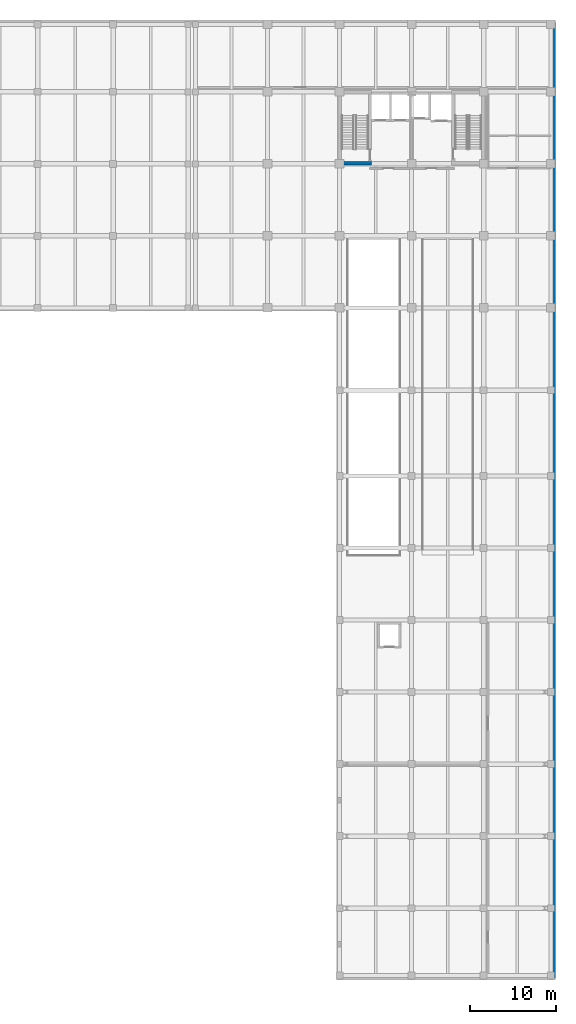
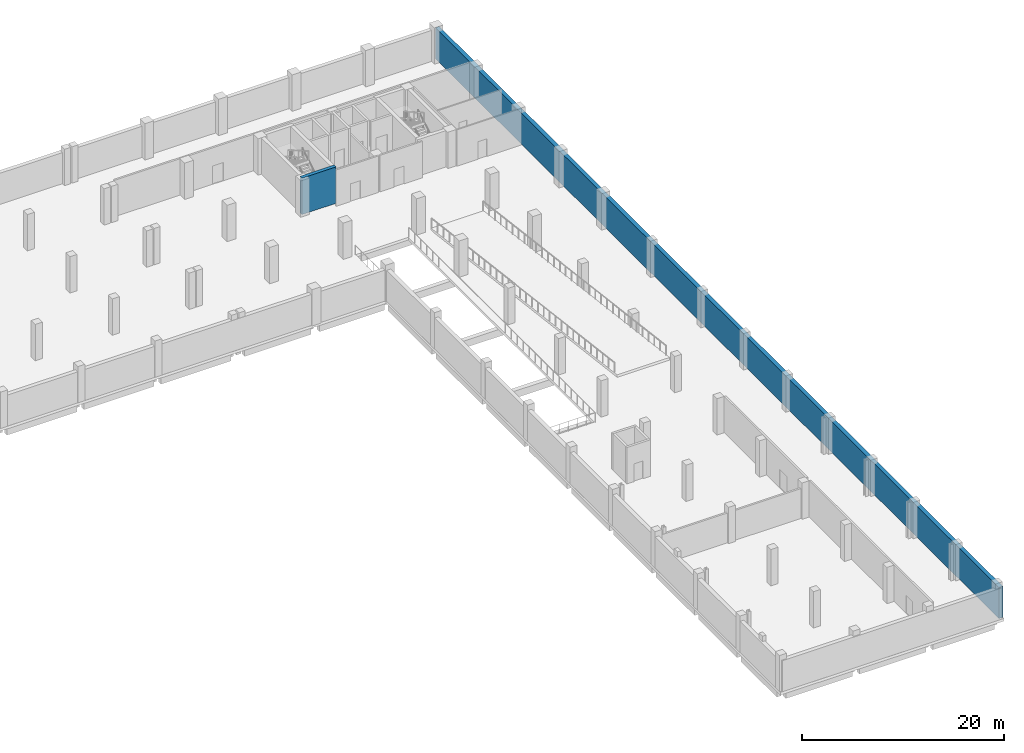
# One storey, part 12 of 17: 2 walls.
"""IFC4 building model written with IfcOpenShell, lengths in metres."""

from ifc_helpers import new_model, si_unit, direction, frame, frame_2d, origin, place, context, subcontext, project, spatial, rectangle, extrude, material, layer, layer_set, type_object, element, save


model = new_model("IFC4")

# Units and contexts
model_context = context("Model", 3, precision=1e-05, world=origin(), true_north=direction((0.0, 1.0)))
body_context = subcontext(model_context, "Body", "Model", "MODEL_VIEW")
ifc_project = project(units=[si_unit("LENGTHUNIT", "METRE"), si_unit("AREAUNIT", "SQUARE_METRE"), si_unit("VOLUMEUNIT", "CUBIC_METRE"), si_unit("PLANEANGLEUNIT", "RADIAN"), si_unit("MASSUNIT", "GRAM", prefix="KILO")], contexts=[model_context])

# Site, building, storey
site_placement = place(None, origin())
site = spatial("IfcSite", under=ifc_project, at=site_placement, CompositionType="ELEMENT")
building_placement = place(site_placement, origin())
building = spatial("IfcBuilding", under=site, at=building_placement, Name="Brinegate Botanical Conservatory", CompositionType="ELEMENT")
storey_placement = place(building_placement, frame((0.0, 0.0, -4.800048828125)))
storey = spatial("IfcBuildingStorey", under=building, at=storey_placement, Name="B1", CompositionType="ELEMENT", Elevation=-4.800048828125)

# Walls
ifc_material = material(Name="Concrete C50/60", Category="concrete")
ifc_layer_1 = layer(ifc_material, 0.39990234375, Name="Concrete C50/60", Category="concrete")
ifc_layer_set_1 = layer_set([ifc_layer_1], Name="Concrete C50/60")
wall_type_1 = type_object("IfcWallType", Name="Wall_SW-400", PredefinedType="SHEAR", material=ifc_layer_set_1)
wall_1_placement = place(storey_placement, frame((138.64990234375, 95.25, 0.0), z_axis=(0.0, 0.0, 1.0), x_axis=(1.0, 0.0, 0.0)))
element("IfcWall", 1, at=wall_1_placement, inside=storey, type_object=wall_type_1, Name="Stairwell ST1 shear wall B1 S", PredefinedType="SHEAR", context=body_context, shape_type="SweptSolid", body=[
    extrude(rectangle(XDim=3.900146484375, YDim=0.39990234375, at=frame_2d((1.9501953125, 0.0))), origin(), (0.0, 0.0, 1.0), 4.39501953125),
])
ifc_layer_2 = layer(ifc_material, 0.449951171875, Name="Concrete C50/60", Category="concrete")
ifc_layer_set_2 = layer_set([ifc_layer_2], Name="Concrete C50/60")
wall_type_2 = type_object("IfcWallType", Name="Wall_SW-450", PredefinedType="SHEAR", material=ifc_layer_set_2)
wall_2_placement = place(storey_placement, frame((163.739990234375, 0.260009765625, 0.0), z_axis=(0.0, 0.0, 1.0), x_axis=(0.0, 1.0, 0.0)))
element("IfcWall", 2, at=wall_2_placement, inside=storey, type_object=wall_type_2, Name="Basement perimeter retaining shear wall B1.4", PredefinedType="SHEAR", context=body_context, shape_type="SweptSolid", body=[
    extrude(rectangle(XDim=111.47998046875, YDim=0.449951171875, at=frame_2d((55.739990234375, 0.0))), origin(), (0.0, 0.0, 1.0), 3.75),
])

save(model, "model.ifc")
